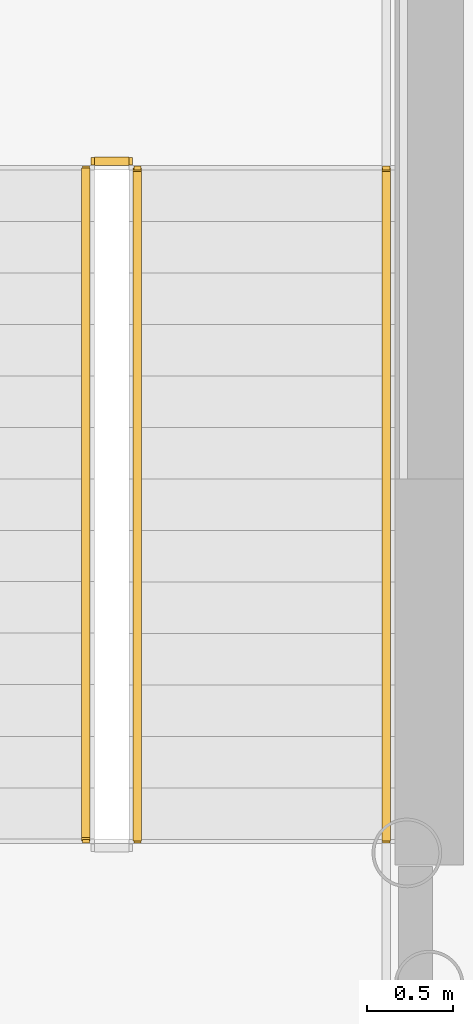
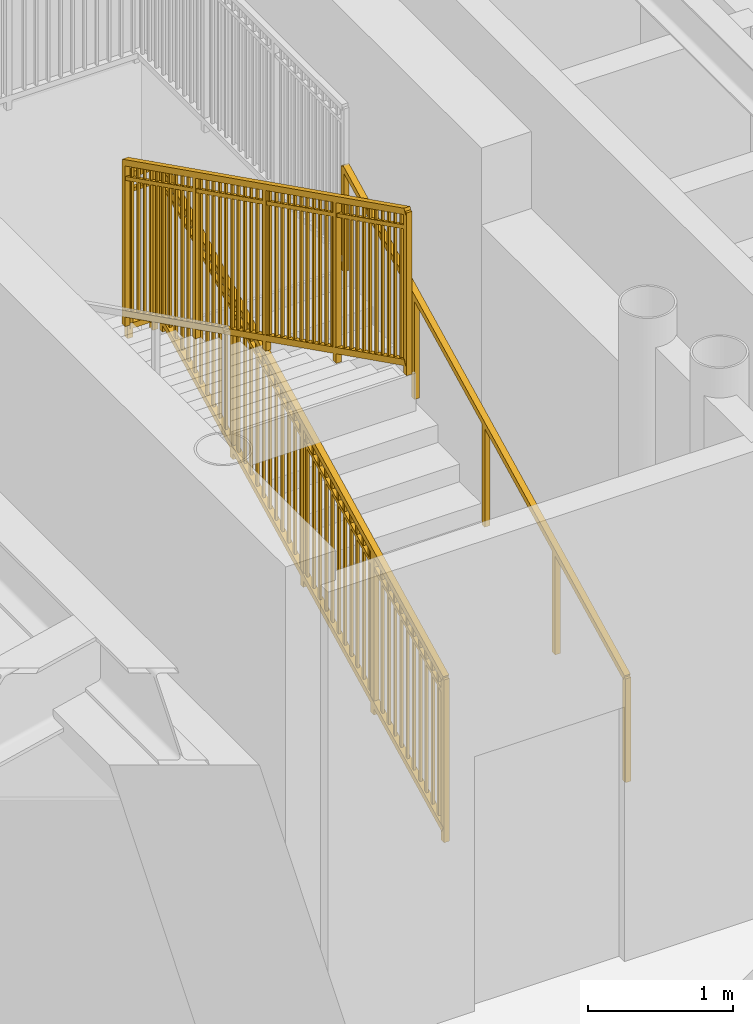
# One storey, part 28 of 35: 4 railings.
"""IFC4 building model written with IfcOpenShell, lengths in metres."""

from ifc_helpers import new_model, si_unit, direction, frame, origin, origin_2d, place, context, subcontext, project, spatial, rectangle, extrude, source, transform, mapped, material, type_object, element, save


model = new_model("IFC4")

# Units and contexts
model_context = context("Model", 3, precision=1e-05, world=origin(), true_north=direction((0.0, 1.0)))
body_context = subcontext(model_context, "Body", "Model", "MODEL_VIEW")
ifc_project = project(units=[si_unit("LENGTHUNIT", "METRE"), si_unit("AREAUNIT", "SQUARE_METRE"), si_unit("VOLUMEUNIT", "CUBIC_METRE"), si_unit("PLANEANGLEUNIT", "RADIAN"), si_unit("MASSUNIT", "GRAM", prefix="KILO")], contexts=[model_context])

# Site, building, storey
site_placement = place(None, origin())
site = spatial("IfcSite", under=ifc_project, at=site_placement, CompositionType="ELEMENT")
building_placement = place(site_placement, origin())
building = spatial("IfcBuilding", under=site, at=building_placement, Name="Linh Dai School and Residence Tower", CompositionType="ELEMENT")
storey_placement = place(building_placement, frame((0.0, 0.0, 32.39990234375)))
storey = spatial("IfcBuildingStorey", under=building, at=storey_placement, Name="L07", CompositionType="ELEMENT", Elevation=32.39990234375)

# Railings
ifc_material_1 = material(Name="Structural Steel S355JR", Category="steel")
railing_type_1 = type_object("IfcRailingType", Name="RL-ST-GUARD-1400", PredefinedType="GUARDRAIL", material=ifc_material_1)
shared_shape_1 = source(origin(), body_context, "Body", "SweptSolid", [
    extrude(rectangle(XDim=0.048095703125, YDim=0.048095703125, at=origin_2d()), frame((0.0, 0.0, 1.3759765625), z_axis=(-1.0, 0.0, 0.0), x_axis=(0.0, -1.0, 0.0)), (0.0, 0.0, 1.0), 0.199951171875),
    extrude(rectangle(XDim=0.048095703125, YDim=0.048095703125, at=origin_2d()), frame((0.0, 0.0, 0.10009765625), z_axis=(-1.0, 0.0, 0.0), x_axis=(0.0, -1.0, 0.0)), (0.0, 0.0, 1.0), 0.199951171875),
    extrude(rectangle(XDim=0.030029296875, YDim=0.030029296875, at=origin_2d()), frame((0.0, 0.0, 1.239990234375), z_axis=(-1.0, 0.0, 0.0), x_axis=(0.0, -1.0, 0.0)), (0.0, 0.0, 1.0), 0.199951171875),
    extrude(rectangle(XDim=0.0419921875, YDim=0.0419921875, at=origin_2d()), origin(), (0.0, 0.0, 1.0), 1.3759765625),
    extrude(rectangle(XDim=0.0419921875, YDim=0.0419921875, at=origin_2d()), frame((-0.199951171875, 0.0, 0.0)), (0.0, 0.0, 1.0), 1.3759765625),
])
railing_1_placement = place(storey_placement, frame((29.429931640625, 29.64990234375, 2.10009765625)))
element("IfcRailing", 1, at=railing_1_placement, inside=storey, type_object=railing_type_1, Name="L07 ST1 stair guard 2", PredefinedType="GUARDRAIL", context=body_context, shape_type="MappedRepresentation", body=[
    mapped(shared_shape_1, transform((0.0, 0.0, 0.0), x_axis=(1.0, 0.0, 0.0), y_axis=(0.0, 1.0, 0.0), z_axis=(0.0, 0.0, 1.0), scale=1.0)),
])
shared_shape_2 = source(origin(), body_context, "Body", "SweptSolid", [
    extrude(rectangle(XDim=0.048095703125, YDim=0.048095703125, at=origin_2d()), frame((0.0, 0.0, 1.3759765625), z_axis=(0.0, 0.894438388696, 0.447191199406), x_axis=(-1.0, 0.0, 0.0)), (0.0, 0.0, 1.0), 4.3603515625),
    extrude(rectangle(XDim=0.048095703125, YDim=0.048095703125, at=origin_2d()), frame((0.0, 0.0, 0.10009765625), z_axis=(0.0, 0.894438388696, 0.447191199406), x_axis=(-1.0, 0.0, 0.0)), (0.0, 0.0, 1.0), 4.3603515625),
    extrude(rectangle(XDim=0.030029296875, YDim=0.030029296875, at=origin_2d()), frame((0.0, 0.0, 1.239990234375), z_axis=(0.0, 0.894438388696, 0.447191199406), x_axis=(-1.0, 0.0, 0.0)), (0.0, 0.0, 1.0), 4.3603515625),
    extrude(rectangle(XDim=0.02001953125, YDim=0.02001953125, at=origin_2d()), frame((0.0, 0.086669921875, 0.143310546875)), (0.0, 0.0, 1.0), 1.251708984375),
    extrude(rectangle(XDim=0.02001953125, YDim=0.02001953125, at=origin_2d()), frame((0.0, 0.17333984375, 0.186767578125)), (0.0, 0.0, 1.0), 1.251708984375),
    extrude(rectangle(XDim=0.02001953125, YDim=0.02001953125, at=origin_2d()), frame((0.0, 0.260009765625, 0.22998046875)), (0.0, 0.0, 1.0), 1.251708984375),
    extrude(rectangle(XDim=0.02001953125, YDim=0.02001953125, at=origin_2d()), frame((0.0, 0.3466796875, 0.2734375)), (0.0, 0.0, 1.0), 1.251708984375),
    extrude(rectangle(XDim=0.02001953125, YDim=0.02001953125, at=origin_2d()), frame((0.0, 0.433349609375, 0.316650390625)), (0.0, 0.0, 1.0), 1.251708984375),
    extrude(rectangle(XDim=0.02001953125, YDim=0.02001953125, at=origin_2d()), frame((0.0, 0.52001953125, 0.360107421875)), (0.0, 0.0, 1.0), 1.251708984375),
    extrude(rectangle(XDim=0.02001953125, YDim=0.02001953125, at=origin_2d()), frame((0.0, 0.606689453125, 0.4033203125)), (0.0, 0.0, 1.0), 1.251708984375),
    extrude(rectangle(XDim=0.02001953125, YDim=0.02001953125, at=origin_2d()), frame((0.0, 0.693359375, 0.44677734375)), (0.0, 0.0, 1.0), 1.251708984375),
    extrude(rectangle(XDim=0.02001953125, YDim=0.02001953125, at=origin_2d()), frame((0.0, 0.780029296875, 0.489990234375)), (0.0, 0.0, 1.0), 1.251708984375),
    extrude(rectangle(XDim=0.02001953125, YDim=0.02001953125, at=origin_2d()), frame((0.0, 0.86669921875, 0.533447265625)), (0.0, 0.0, 1.0), 1.251708984375),
    extrude(rectangle(XDim=0.02001953125, YDim=0.02001953125, at=origin_2d()), frame((0.0, 1.0400390625, 0.6201171875)), (0.0, 0.0, 1.0), 1.251708984375),
    extrude(rectangle(XDim=0.02001953125, YDim=0.02001953125, at=origin_2d()), frame((0.0, 1.126708984375, 0.663330078125)), (0.0, 0.0, 1.0), 1.251708984375),
    extrude(rectangle(XDim=0.02001953125, YDim=0.02001953125, at=origin_2d()), frame((0.0, 1.21337890625, 0.706787109375)), (0.0, 0.0, 1.0), 1.251708984375),
    extrude(rectangle(XDim=0.02001953125, YDim=0.02001953125, at=origin_2d()), frame((0.0, 1.300048828125, 0.75)), (0.0, 0.0, 1.0), 1.251708984375),
    extrude(rectangle(XDim=0.02001953125, YDim=0.02001953125, at=origin_2d()), frame((0.0, 1.38671875, 0.79345703125)), (0.0, 0.0, 1.0), 1.251708984375),
    extrude(rectangle(XDim=0.02001953125, YDim=0.02001953125, at=origin_2d()), frame((0.0, 1.473388671875, 0.836669921875)), (0.0, 0.0, 1.0), 1.251708984375),
    extrude(rectangle(XDim=0.02001953125, YDim=0.02001953125, at=origin_2d()), frame((0.0, 1.56005859375, 0.880126953125)), (0.0, 0.0, 1.0), 1.251708984375),
    extrude(rectangle(XDim=0.02001953125, YDim=0.02001953125, at=origin_2d()), frame((0.0, 1.646728515625, 0.92333984375)), (0.0, 0.0, 1.0), 1.251708984375),
    extrude(rectangle(XDim=0.02001953125, YDim=0.02001953125, at=origin_2d()), frame((0.0, 1.7333984375, 0.966796875)), (0.0, 0.0, 1.0), 1.251708984375),
    extrude(rectangle(XDim=0.02001953125, YDim=0.02001953125, at=origin_2d()), frame((0.0, 1.820068359375, 1.010009765625)), (0.0, 0.0, 1.0), 1.251708984375),
    extrude(rectangle(XDim=0.02001953125, YDim=0.02001953125, at=origin_2d()), frame((0.0, 1.90673828125, 1.053466796875)), (0.0, 0.0, 1.0), 1.251708984375),
    extrude(rectangle(XDim=0.02001953125, YDim=0.02001953125, at=origin_2d()), frame((0.0, 1.993408203125, 1.0966796875)), (0.0, 0.0, 1.0), 1.251708984375),
    extrude(rectangle(XDim=0.02001953125, YDim=0.02001953125, at=origin_2d()), frame((0.0, 2.080078125, 1.14013671875)), (0.0, 0.0, 1.0), 1.251708984375),
    extrude(rectangle(XDim=0.02001953125, YDim=0.02001953125, at=origin_2d()), frame((0.0, 2.166748046875, 1.183349609375)), (0.0, 0.0, 1.0), 1.251708984375),
    extrude(rectangle(XDim=0.02001953125, YDim=0.02001953125, at=origin_2d()), frame((0.0, 2.25341796875, 1.226806640625)), (0.0, 0.0, 1.0), 1.251708984375),
    extrude(rectangle(XDim=0.02001953125, YDim=0.02001953125, at=origin_2d()), frame((0.0, 2.340087890625, 1.27001953125)), (0.0, 0.0, 1.0), 1.251708984375),
    extrude(rectangle(XDim=0.02001953125, YDim=0.02001953125, at=origin_2d()), frame((0.0, 2.4267578125, 1.3134765625)), (0.0, 0.0, 1.0), 1.251708984375),
    extrude(rectangle(XDim=0.02001953125, YDim=0.02001953125, at=origin_2d()), frame((0.0, 2.513427734375, 1.356689453125)), (0.0, 0.0, 1.0), 1.251708984375),
    extrude(rectangle(XDim=0.02001953125, YDim=0.02001953125, at=origin_2d()), frame((0.0, 2.60009765625, 1.400146484375)), (0.0, 0.0, 1.0), 1.251708984375),
    extrude(rectangle(XDim=0.02001953125, YDim=0.02001953125, at=origin_2d()), frame((0.0, 2.686767578125, 1.443359375)), (0.0, 0.0, 1.0), 1.251708984375),
    extrude(rectangle(XDim=0.02001953125, YDim=0.02001953125, at=origin_2d()), frame((0.0, 2.7734375, 1.48681640625)), (0.0, 0.0, 1.0), 1.251708984375),
    extrude(rectangle(XDim=0.02001953125, YDim=0.02001953125, at=origin_2d()), frame((0.0, 2.860107421875, 1.530029296875)), (0.0, 0.0, 1.0), 1.251708984375),
    extrude(rectangle(XDim=0.02001953125, YDim=0.02001953125, at=origin_2d()), frame((0.0, 3.033447265625, 1.61669921875)), (0.0, 0.0, 1.0), 1.251708984375),
    extrude(rectangle(XDim=0.02001953125, YDim=0.02001953125, at=origin_2d()), frame((0.0, 3.1201171875, 1.66015625)), (0.0, 0.0, 1.0), 1.251708984375),
    extrude(rectangle(XDim=0.02001953125, YDim=0.02001953125, at=origin_2d()), frame((0.0, 3.206787109375, 1.703369140625)), (0.0, 0.0, 1.0), 1.251708984375),
    extrude(rectangle(XDim=0.02001953125, YDim=0.02001953125, at=origin_2d()), frame((0.0, 3.29345703125, 1.746826171875)), (0.0, 0.0, 1.0), 1.251708984375),
    extrude(rectangle(XDim=0.02001953125, YDim=0.02001953125, at=origin_2d()), frame((0.0, 3.380126953125, 1.7900390625)), (0.0, 0.0, 1.0), 1.251708984375),
    extrude(rectangle(XDim=0.02001953125, YDim=0.02001953125, at=origin_2d()), frame((0.0, 3.466796875, 1.83349609375)), (0.0, 0.0, 1.0), 1.251708984375),
    extrude(rectangle(XDim=0.02001953125, YDim=0.02001953125, at=origin_2d()), frame((0.0, 3.553466796875, 1.876708984375)), (0.0, 0.0, 1.0), 1.251708984375),
    extrude(rectangle(XDim=0.02001953125, YDim=0.02001953125, at=origin_2d()), frame((0.0, 3.64013671875, 1.920166015625)), (0.0, 0.0, 1.0), 1.251708984375),
    extrude(rectangle(XDim=0.02001953125, YDim=0.02001953125, at=origin_2d()), frame((0.0, 3.726806640625, 1.96337890625)), (0.0, 0.0, 1.0), 1.251708984375),
    extrude(rectangle(XDim=0.02001953125, YDim=0.02001953125, at=origin_2d()), frame((0.0, 3.8134765625, 2.0068359375)), (0.0, 0.0, 1.0), 1.251708984375),
    extrude(rectangle(XDim=0.0419921875, YDim=0.0419921875, at=origin_2d()), origin(), (0.0, 0.0, 1.0), 1.3759765625),
    extrude(rectangle(XDim=0.0419921875, YDim=0.0419921875, at=origin_2d()), frame((0.0, 0.97509765625, 0.487548828125)), (0.0, 0.0, 1.0), 1.3759765625),
    extrude(rectangle(XDim=0.0419921875, YDim=0.0419921875, at=origin_2d()), frame((0.0, 1.9501953125, 0.97509765625)), (0.0, 0.0, 1.0), 1.3759765625),
    extrude(rectangle(XDim=0.0419921875, YDim=0.0419921875, at=origin_2d()), frame((0.0, 2.925048828125, 1.46240234375)), (0.0, 0.0, 1.0), 1.3759765625),
    extrude(rectangle(XDim=0.0419921875, YDim=0.0419921875, at=origin_2d()), frame((0.0, 3.900146484375, 1.949951171875)), (0.0, 0.0, 1.0), 1.3759765625),
])
railing_2_placement = place(storey_placement, frame((29.47998046875, 25.699951171875, 0.150146484375)))
element("IfcRailing", 2, at=railing_2_placement, inside=storey, type_object=railing_type_1, Name="L07 ST1 stair guard 1", PredefinedType="GUARDRAIL", context=body_context, shape_type="MappedRepresentation", body=[
    mapped(shared_shape_2, transform((0.0, 0.0, 0.0), x_axis=(1.0, 0.0, 0.0), y_axis=(0.0, 1.0, 0.0), z_axis=(0.0, 0.0, 1.0), scale=1.0)),
])
ifc_material_2 = material(Name="Brushed Stainless Steel Handrail", Category="steel")
railing_type_2 = type_object("IfcRailingType", Name="RL-ST-HANDRAIL-900", PredefinedType="HANDRAIL", material=ifc_material_2)
shared_shape_3 = source(origin(), body_context, "Body", "SweptSolid", [
    extrude(rectangle(XDim=0.048095703125, YDim=0.048095703125, at=origin_2d()), frame((0.0, 0.0, 0.8759765625), z_axis=(0.0, 0.894438388696, 0.447191199406), x_axis=(-1.0, 0.0, 0.0)), (0.0, 0.0, 1.0), 4.3603515625),
    extrude(rectangle(XDim=0.0419921875, YDim=0.0419921875, at=origin_2d()), origin(), (0.0, 0.0, 1.0), 0.8759765625),
    extrude(rectangle(XDim=0.0419921875, YDim=0.0419921875, at=origin_2d()), frame((0.0, 0.97509765625, 0.487548828125)), (0.0, 0.0, 1.0), 0.8759765625),
    extrude(rectangle(XDim=0.0419921875, YDim=0.0419921875, at=origin_2d()), frame((0.0, 1.9501953125, 0.97509765625)), (0.0, 0.0, 1.0), 0.8759765625),
    extrude(rectangle(XDim=0.0419921875, YDim=0.0419921875, at=origin_2d()), frame((0.0, 2.925048828125, 1.46240234375)), (0.0, 0.0, 1.0), 0.8759765625),
    extrude(rectangle(XDim=0.0419921875, YDim=0.0419921875, at=origin_2d()), frame((0.0, 3.900146484375, 1.949951171875)), (0.0, 0.0, 1.0), 0.8759765625),
])
railing_3_placement = place(storey_placement, frame((30.929931640625, 25.699951171875, 0.150146484375)))
element("IfcRailing", 3, at=railing_3_placement, inside=storey, type_object=railing_type_2, Name="L07 ST1 stair handrail 1", PredefinedType="HANDRAIL", context=body_context, shape_type="MappedRepresentation", body=[
    mapped(shared_shape_3, transform((0.0, 0.0, 0.0), x_axis=(1.0, 0.0, 0.0), y_axis=(0.0, 1.0, 0.0), z_axis=(0.0, 0.0, 1.0), scale=1.0)),
])
shared_shape_4 = source(origin(), body_context, "Body", "SweptSolid", [
    extrude(rectangle(XDim=0.048095703125, YDim=0.048095703125, at=origin_2d()), frame((0.0, 0.0, 1.3759765625), z_axis=(0.0, -0.894415993023, 0.447235990752), x_axis=(1.0, 0.0, 0.0)), (0.0, 0.0, 1.0), 4.360595703125),
    extrude(rectangle(XDim=0.048095703125, YDim=0.048095703125, at=origin_2d()), frame((0.0, 0.0, 0.10009765625), z_axis=(0.0, -0.894415993023, 0.447235990752), x_axis=(1.0, 0.0, 0.0)), (0.0, 0.0, 1.0), 4.360595703125),
    extrude(rectangle(XDim=0.030029296875, YDim=0.030029296875, at=origin_2d()), frame((0.0, 0.0, 1.239990234375), z_axis=(0.0, -0.894415993023, 0.447235990752), x_axis=(1.0, 0.0, 0.0)), (0.0, 0.0, 1.0), 4.360595703125),
    extrude(rectangle(XDim=0.02001953125, YDim=0.02001953125, at=origin_2d()), frame((0.0, -0.086669921875, 0.1435546875)), (0.0, 0.0, 1.0), 1.251708984375),
    extrude(rectangle(XDim=0.02001953125, YDim=0.02001953125, at=origin_2d()), frame((0.0, -0.17333984375, 0.186767578125)), (0.0, 0.0, 1.0), 1.251708984375),
    extrude(rectangle(XDim=0.02001953125, YDim=0.02001953125, at=origin_2d()), frame((0.0, -0.260009765625, 0.230224609375)), (0.0, 0.0, 1.0), 1.251708984375),
    extrude(rectangle(XDim=0.02001953125, YDim=0.02001953125, at=origin_2d()), frame((0.0, -0.3466796875, 0.2734375)), (0.0, 0.0, 1.0), 1.251708984375),
    extrude(rectangle(XDim=0.02001953125, YDim=0.02001953125, at=origin_2d()), frame((0.0, -0.433349609375, 0.31689453125)), (0.0, 0.0, 1.0), 1.251708984375),
    extrude(rectangle(XDim=0.02001953125, YDim=0.02001953125, at=origin_2d()), frame((0.0, -0.52001953125, 0.360107421875)), (0.0, 0.0, 1.0), 1.251708984375),
    extrude(rectangle(XDim=0.02001953125, YDim=0.02001953125, at=origin_2d()), frame((0.0, -0.606689453125, 0.403564453125)), (0.0, 0.0, 1.0), 1.251708984375),
    extrude(rectangle(XDim=0.02001953125, YDim=0.02001953125, at=origin_2d()), frame((0.0, -0.693359375, 0.44677734375)), (0.0, 0.0, 1.0), 1.251708984375),
    extrude(rectangle(XDim=0.02001953125, YDim=0.02001953125, at=origin_2d()), frame((0.0, -0.780029296875, 0.490234375)), (0.0, 0.0, 1.0), 1.251708984375),
    extrude(rectangle(XDim=0.02001953125, YDim=0.02001953125, at=origin_2d()), frame((0.0, -0.86669921875, 0.533447265625)), (0.0, 0.0, 1.0), 1.251708984375),
    extrude(rectangle(XDim=0.02001953125, YDim=0.02001953125, at=origin_2d()), frame((0.0, -1.0400390625, 0.6201171875)), (0.0, 0.0, 1.0), 1.251708984375),
    extrude(rectangle(XDim=0.02001953125, YDim=0.02001953125, at=origin_2d()), frame((0.0, -1.126708984375, 0.66357421875)), (0.0, 0.0, 1.0), 1.251708984375),
    extrude(rectangle(XDim=0.02001953125, YDim=0.02001953125, at=origin_2d()), frame((0.0, -1.21337890625, 0.706787109375)), (0.0, 0.0, 1.0), 1.251708984375),
    extrude(rectangle(XDim=0.02001953125, YDim=0.02001953125, at=origin_2d()), frame((0.0, -1.300048828125, 0.750244140625)), (0.0, 0.0, 1.0), 1.251708984375),
    extrude(rectangle(XDim=0.02001953125, YDim=0.02001953125, at=origin_2d()), frame((0.0, -1.38671875, 0.79345703125)), (0.0, 0.0, 1.0), 1.251708984375),
    extrude(rectangle(XDim=0.02001953125, YDim=0.02001953125, at=origin_2d()), frame((0.0, -1.473388671875, 0.8369140625)), (0.0, 0.0, 1.0), 1.251708984375),
    extrude(rectangle(XDim=0.02001953125, YDim=0.02001953125, at=origin_2d()), frame((0.0, -1.56005859375, 0.880126953125)), (0.0, 0.0, 1.0), 1.251708984375),
    extrude(rectangle(XDim=0.02001953125, YDim=0.02001953125, at=origin_2d()), frame((0.0, -1.646728515625, 0.923583984375)), (0.0, 0.0, 1.0), 1.251708984375),
    extrude(rectangle(XDim=0.02001953125, YDim=0.02001953125, at=origin_2d()), frame((0.0, -1.7333984375, 0.966796875)), (0.0, 0.0, 1.0), 1.251708984375),
    extrude(rectangle(XDim=0.02001953125, YDim=0.02001953125, at=origin_2d()), frame((0.0, -1.820068359375, 1.01025390625)), (0.0, 0.0, 1.0), 1.251708984375),
    extrude(rectangle(XDim=0.02001953125, YDim=0.02001953125, at=origin_2d()), frame((0.0, -1.90673828125, 1.053466796875)), (0.0, 0.0, 1.0), 1.251708984375),
    extrude(rectangle(XDim=0.02001953125, YDim=0.02001953125, at=origin_2d()), frame((0.0, -1.993408203125, 1.096923828125)), (0.0, 0.0, 1.0), 1.251708984375),
    extrude(rectangle(XDim=0.02001953125, YDim=0.02001953125, at=origin_2d()), frame((0.0, -2.080078125, 1.14013671875)), (0.0, 0.0, 1.0), 1.251708984375),
    extrude(rectangle(XDim=0.02001953125, YDim=0.02001953125, at=origin_2d()), frame((0.0, -2.166748046875, 1.18359375)), (0.0, 0.0, 1.0), 1.251708984375),
    extrude(rectangle(XDim=0.02001953125, YDim=0.02001953125, at=origin_2d()), frame((0.0, -2.25341796875, 1.226806640625)), (0.0, 0.0, 1.0), 1.251708984375),
    extrude(rectangle(XDim=0.02001953125, YDim=0.02001953125, at=origin_2d()), frame((0.0, -2.340087890625, 1.270263671875)), (0.0, 0.0, 1.0), 1.251708984375),
    extrude(rectangle(XDim=0.02001953125, YDim=0.02001953125, at=origin_2d()), frame((0.0, -2.4267578125, 1.3134765625)), (0.0, 0.0, 1.0), 1.251708984375),
    extrude(rectangle(XDim=0.02001953125, YDim=0.02001953125, at=origin_2d()), frame((0.0, -2.513427734375, 1.35693359375)), (0.0, 0.0, 1.0), 1.251708984375),
    extrude(rectangle(XDim=0.02001953125, YDim=0.02001953125, at=origin_2d()), frame((0.0, -2.60009765625, 1.400146484375)), (0.0, 0.0, 1.0), 1.251708984375),
    extrude(rectangle(XDim=0.02001953125, YDim=0.02001953125, at=origin_2d()), frame((0.0, -2.686767578125, 1.443603515625)), (0.0, 0.0, 1.0), 1.251708984375),
    extrude(rectangle(XDim=0.02001953125, YDim=0.02001953125, at=origin_2d()), frame((0.0, -2.7734375, 1.48681640625)), (0.0, 0.0, 1.0), 1.251708984375),
    extrude(rectangle(XDim=0.02001953125, YDim=0.02001953125, at=origin_2d()), frame((0.0, -2.860107421875, 1.5302734375)), (0.0, 0.0, 1.0), 1.251708984375),
    extrude(rectangle(XDim=0.02001953125, YDim=0.02001953125, at=origin_2d()), frame((0.0, -3.033447265625, 1.616943359375)), (0.0, 0.0, 1.0), 1.251708984375),
    extrude(rectangle(XDim=0.02001953125, YDim=0.02001953125, at=origin_2d()), frame((0.0, -3.1201171875, 1.66015625)), (0.0, 0.0, 1.0), 1.251708984375),
    extrude(rectangle(XDim=0.02001953125, YDim=0.02001953125, at=origin_2d()), frame((0.0, -3.206787109375, 1.70361328125)), (0.0, 0.0, 1.0), 1.251708984375),
    extrude(rectangle(XDim=0.02001953125, YDim=0.02001953125, at=origin_2d()), frame((0.0, -3.29345703125, 1.746826171875)), (0.0, 0.0, 1.0), 1.251708984375),
    extrude(rectangle(XDim=0.02001953125, YDim=0.02001953125, at=origin_2d()), frame((0.0, -3.380126953125, 1.790283203125)), (0.0, 0.0, 1.0), 1.251708984375),
    extrude(rectangle(XDim=0.02001953125, YDim=0.02001953125, at=origin_2d()), frame((0.0, -3.466796875, 1.83349609375)), (0.0, 0.0, 1.0), 1.251708984375),
    extrude(rectangle(XDim=0.02001953125, YDim=0.02001953125, at=origin_2d()), frame((0.0, -3.553466796875, 1.876953125)), (0.0, 0.0, 1.0), 1.251708984375),
    extrude(rectangle(XDim=0.02001953125, YDim=0.02001953125, at=origin_2d()), frame((0.0, -3.64013671875, 1.920166015625)), (0.0, 0.0, 1.0), 1.251708984375),
    extrude(rectangle(XDim=0.02001953125, YDim=0.02001953125, at=origin_2d()), frame((0.0, -3.726806640625, 1.963623046875)), (0.0, 0.0, 1.0), 1.251708984375),
    extrude(rectangle(XDim=0.02001953125, YDim=0.02001953125, at=origin_2d()), frame((0.0, -3.8134765625, 2.0068359375)), (0.0, 0.0, 1.0), 1.251708984375),
    extrude(rectangle(XDim=0.0419921875, YDim=0.0419921875, at=origin_2d()), origin(), (0.0, 0.0, 1.0), 1.3759765625),
    extrude(rectangle(XDim=0.0419921875, YDim=0.0419921875, at=origin_2d()), frame((0.0, -0.97509765625, 0.487548828125)), (0.0, 0.0, 1.0), 1.3759765625),
    extrude(rectangle(XDim=0.0419921875, YDim=0.0419921875, at=origin_2d()), frame((0.0, -1.9501953125, 0.97509765625)), (0.0, 0.0, 1.0), 1.3759765625),
    extrude(rectangle(XDim=0.0419921875, YDim=0.0419921875, at=origin_2d()), frame((0.0, -2.925048828125, 1.462646484375)), (0.0, 0.0, 1.0), 1.3759765625),
    extrude(rectangle(XDim=0.0419921875, YDim=0.0419921875, at=origin_2d()), frame((0.0, -3.900146484375, 1.9501953125)), (0.0, 0.0, 1.0), 1.3759765625),
])
railing_4_placement = place(storey_placement, frame((29.179931640625, 29.60009765625, 2.25)))
element("IfcRailing", 4, at=railing_4_placement, inside=storey, type_object=railing_type_1, Name="L07 ST1 stair guard 6", PredefinedType="GUARDRAIL", context=body_context, shape_type="MappedRepresentation", body=[
    mapped(shared_shape_4, transform((0.0, 0.0, 0.0), x_axis=(1.0, 0.0, 0.0), y_axis=(0.0, 1.0, 0.0), z_axis=(0.0, 0.0, 1.0), scale=1.0)),
])

save(model, "model.ifc")
